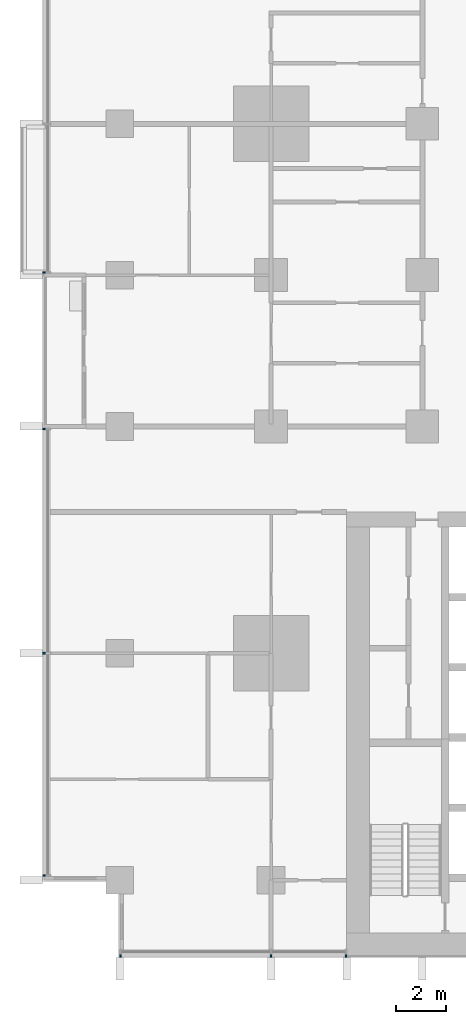
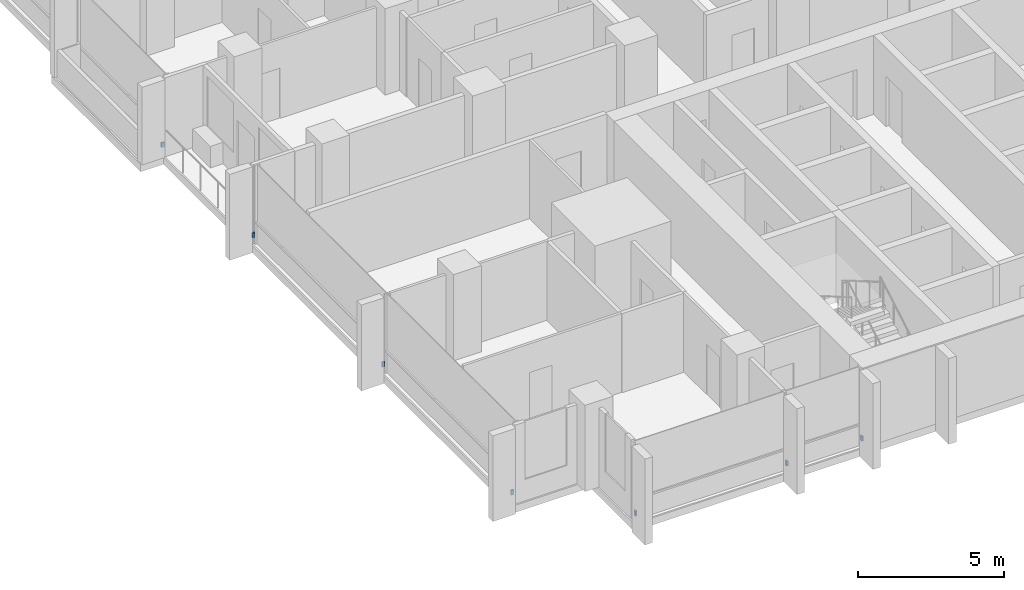
# One storey, part 14 of 18: 7 discrete accessories.
"""IFC4 building model written with IfcOpenShell, lengths in metres."""

from ifc_helpers import new_model, si_unit, direction, frame, origin, origin_2d, place, context, subcontext, project, spatial, rectangle, extrude, material, type_object, element, save


model = new_model("IFC4")

# Units and contexts
model_context = context("Model", 3, precision=1e-05, world=origin(), true_north=direction((0.0, 1.0)))
body_context = subcontext(model_context, "Body", "Model", "MODEL_VIEW")
ifc_project = project(units=[si_unit("LENGTHUNIT", "METRE"), si_unit("AREAUNIT", "SQUARE_METRE"), si_unit("VOLUMEUNIT", "CUBIC_METRE"), si_unit("PLANEANGLEUNIT", "RADIAN"), si_unit("MASSUNIT", "GRAM", prefix="KILO")], contexts=[model_context])

# Site, building, storey
site_placement = place(None, origin())
site = spatial("IfcSite", under=ifc_project, at=site_placement, CompositionType="ELEMENT")
building_placement = place(site_placement, origin())
building = spatial("IfcBuilding", under=site, at=building_placement, Name="Finial Court Residences", CompositionType="ELEMENT")
storey_placement = place(building_placement, frame((0.0, 0.0, 36.10009765625)))
storey = spatial("IfcBuildingStorey", under=building, at=storey_placement, Name="L07", CompositionType="ELEMENT", Elevation=36.10009765625)

# Discrete accessories
ifc_material = material(Name="Stainless steel 316", Category="steel")
discrete_accessory_type = type_object("IfcDiscreteAccessoryType", Name="Fin bracket, stainless steel 65 x 110 x 200", PredefinedType="BRACKET", material=ifc_material)
for number, where, z_axis, x_axis, name in (
    (1, (-22.467529296875, -25.5048828125, 0.2998046875), (0.0, 0.0, 1.0), (1.0, 0.0, 0.0), "E-L07-FIN-S17-BRK"),
    (2, (-16.5, -25.5048828125, 0.2998046875), (0.0, 0.0, 1.0), (1.0, 0.0, 0.0), "E-L07-FIN-S18-BRK"),
    (3, (-13.532470703125, -25.5048828125, 0.2998046875), (0.0, 0.0, 1.0), (1.0, 0.0, 0.0), "E-L07-FIN-S19-BRK"),
):
    element("IfcDiscreteAccessory", number, at=place(storey_placement, frame(where, z_axis=z_axis, x_axis=x_axis)), inside=storey, type_object=discrete_accessory_type, Name=name, PredefinedType="BRACKET", context=body_context, shape_type="SweptSolid", body=[
        extrude(rectangle(XDim=0.06494140625, YDim=0.110107421875, at=origin_2d()), origin(), (0.0, 0.0, 1.0), 0.199951171875),
    ])
for number, where, z_axis, x_axis, name in (
    (4, (-25.5048828125, -22.3173828125, 0.2998046875), (0.0, 0.0, 1.0), (1.0, 0.0, 0.0), "E-L07-FIN-W27-BRK"),
    (5, (-25.5048828125, -13.5, 0.2998046875), (0.0, 0.0, 1.0), (1.0, 0.0, 0.0), "E-L07-FIN-W28-BRK"),
    (6, (-25.5048828125, -4.607421875, 0.2998046875), (0.0, 0.0, 1.0), (1.0, 0.0, 0.0), "E-L07-FIN-W29-BRK"),
    (7, (-25.5048828125, 1.607421875, 0.2998046875), (0.0, 0.0, 1.0), (1.0, 0.0, 0.0), "E-L07-FIN-W30-BRK"),
):
    element("IfcDiscreteAccessory", number, at=place(storey_placement, frame(where, z_axis=z_axis, x_axis=x_axis)), inside=storey, type_object=discrete_accessory_type, Name=name, PredefinedType="BRACKET", context=body_context, shape_type="SweptSolid", body=[
        extrude(rectangle(XDim=0.110107421875, YDim=0.06494140625, at=origin_2d()), origin(), (0.0, 0.0, 1.0), 0.199951171875),
    ])

save(model, "model.ifc")
